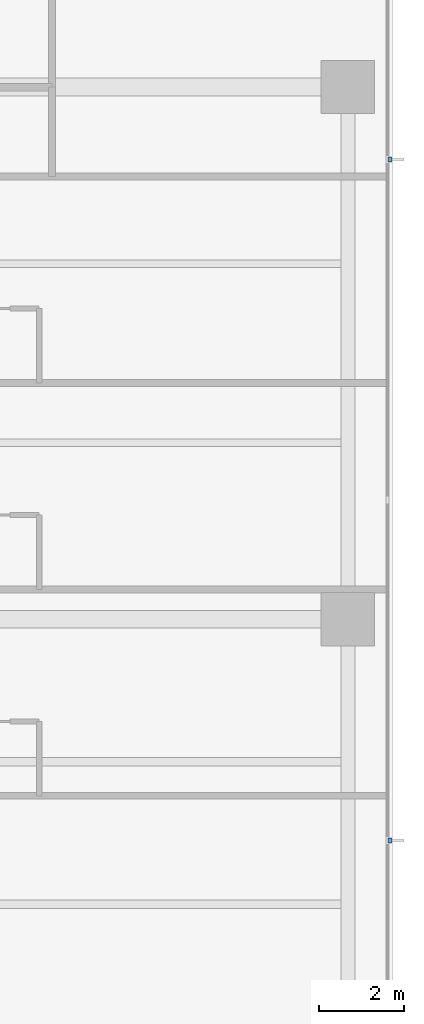
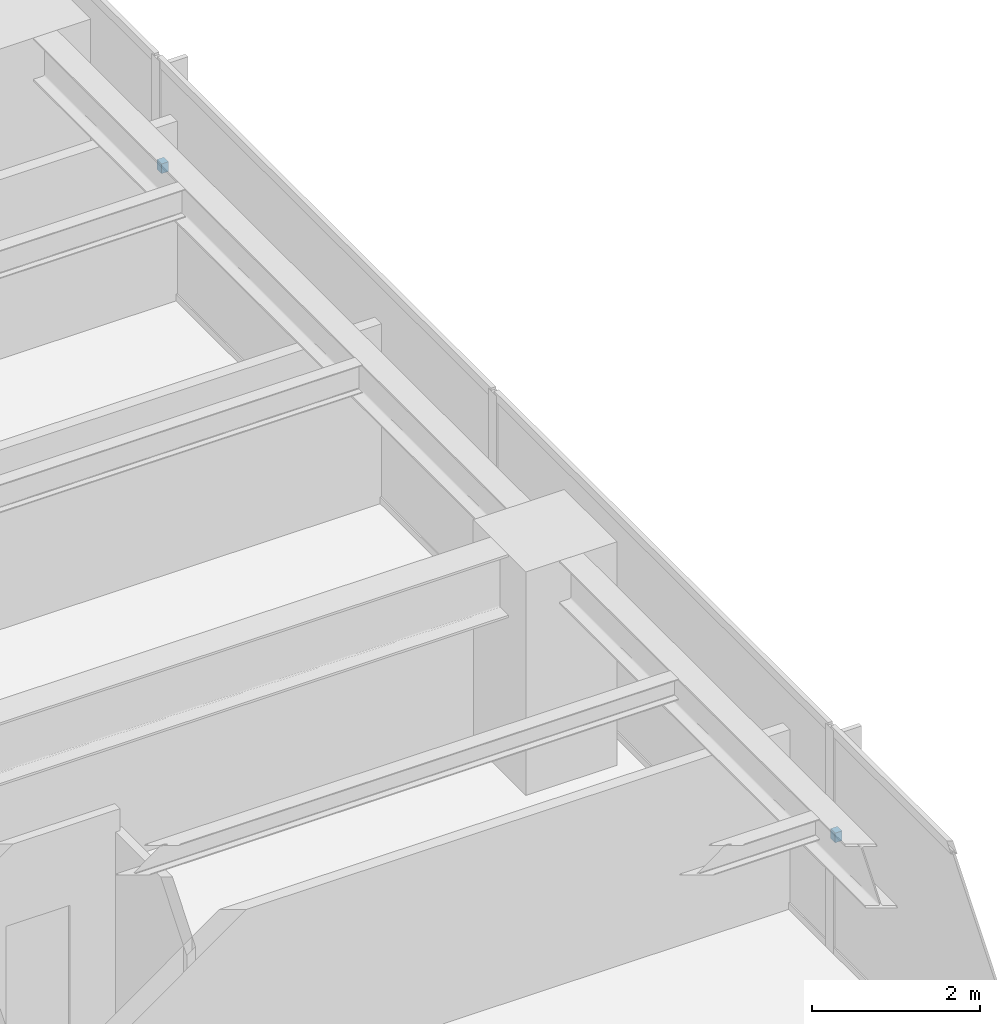
# One storey, part 14 of 17: 2 discrete accessories.
"""IFC4 building model written with IfcOpenShell, lengths in metres."""

from ifc_helpers import new_model, si_unit, direction, frame, origin, place, context, subcontext, project, spatial, polyline, outline, extrude, material, type_object, element, save


model = new_model("IFC4")

# Units and contexts
model_context = context("Model", 3, precision=1e-05, world=origin(), true_north=direction((0.0, 1.0)))
body_context = subcontext(model_context, "Body", "Model", "MODEL_VIEW")
ifc_project = project(units=[si_unit("LENGTHUNIT", "METRE"), si_unit("AREAUNIT", "SQUARE_METRE"), si_unit("VOLUMEUNIT", "CUBIC_METRE"), si_unit("PLANEANGLEUNIT", "RADIAN"), si_unit("MASSUNIT", "GRAM", prefix="KILO")], contexts=[model_context])

# Site, building, storey
site_placement = place(None, origin())
site = spatial("IfcSite", under=ifc_project, at=site_placement, CompositionType="ELEMENT")
building_placement = place(site_placement, origin())
building = spatial("IfcBuilding", under=site, at=building_placement, Name="Qalmaran Belvedere Hotel", CompositionType="ELEMENT")
storey_placement = place(building_placement, frame((0.0, 0.0, 88.199951171875)))
storey = spatial("IfcBuildingStorey", under=building, at=storey_placement, Name="L21", CompositionType="ELEMENT", Elevation=88.199951171875)

# Discrete accessories
ifc_material = material(Name="Stainless Steel 1.4401", Category="steel")
discrete_accessory_type = type_object("IfcDiscreteAccessoryType", Name="BRK-FIN-SS316", PredefinedType="BRACKET", material=ifc_material)
discrete_accessory_1_placement = place(storey_placement, frame((0.0, 0.0, 1.570068359375)))
element("IfcDiscreteAccessory", 1, at=discrete_accessory_1_placement, inside=storey, type_object=discrete_accessory_type, Name="L21 Fin Bracket 1", PredefinedType="BRACKET", context=body_context, shape_type="SweptSolid", body=[
    extrude(outline(polyline([(58.89501953125, 15.2451171875), (58.989990234375, 15.2451171875), (58.989990234375, 15.35498046875), (58.89501953125, 15.35498046875), (58.89501953125, 15.2451171875)])), origin(), (0.0, 0.0, 1.0), 0.139892578125),
])
discrete_accessory_2_placement = place(storey_placement, frame((0.0, 0.0, 1.570068359375)))
element("IfcDiscreteAccessory", 2, at=discrete_accessory_2_placement, inside=storey, type_object=discrete_accessory_type, Name="L21 Fin Bracket 3", PredefinedType="BRACKET", context=body_context, shape_type="SweptSolid", body=[
    extrude(outline(polyline([(58.89501953125, 31.2451171875), (58.989990234375, 31.2451171875), (58.989990234375, 31.35498046875), (58.89501953125, 31.35498046875), (58.89501953125, 31.2451171875)])), origin(), (0.0, 0.0, 1.0), 0.139892578125),
])

save(model, "model.ifc")
